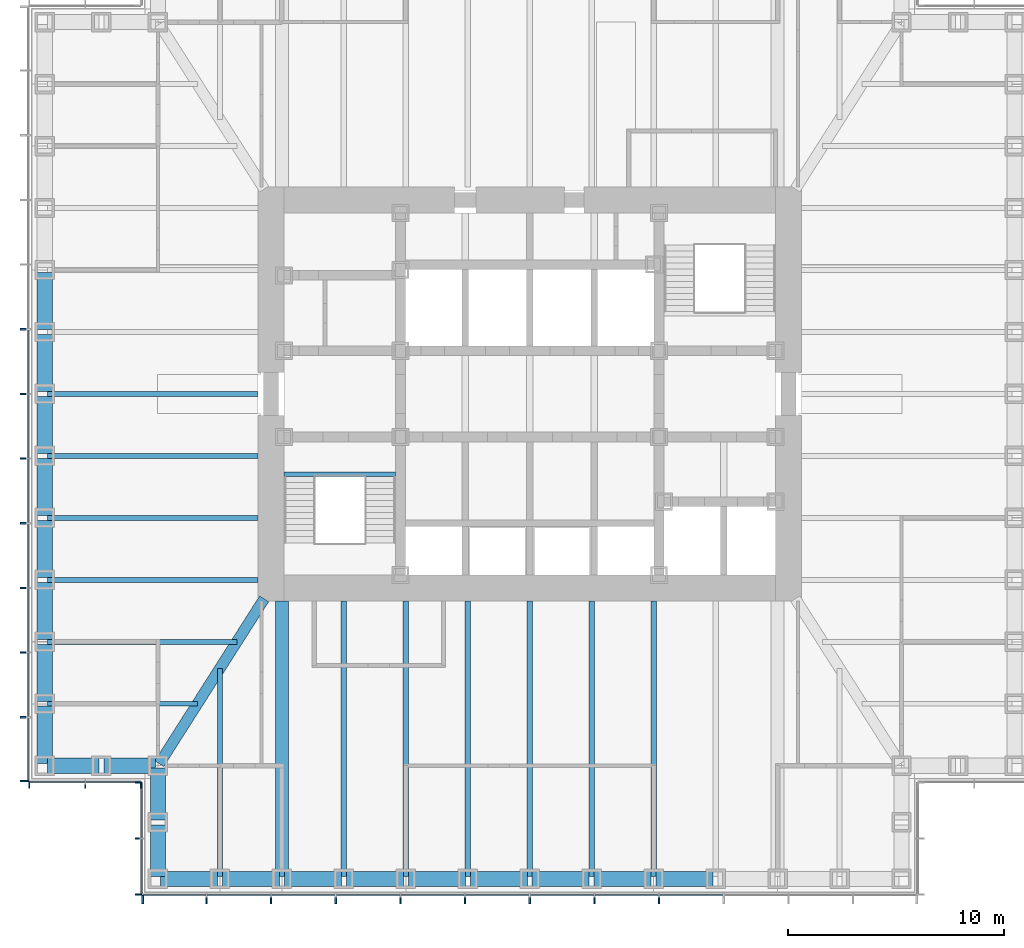
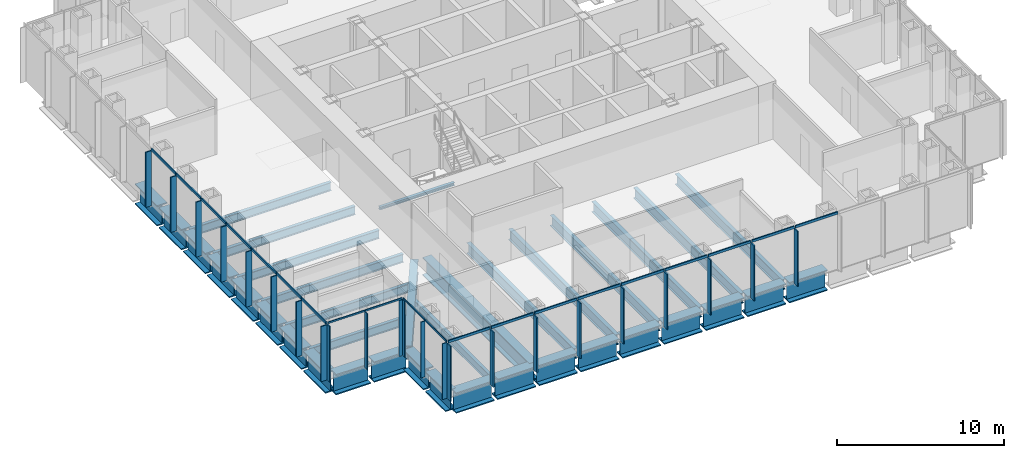
# One storey, part 2 of 17: 43 members, 37 beams, 4 elements without a shape of their own.
"""IFC4 building model written with IfcOpenShell, lengths in metres."""

from ifc_helpers import new_model, si_unit, direction, frame, origin, origin_2d, place, context, subcontext, project, spatial, rectangle, i_section, extrude, material, material_profile, profile_set, type_object, element, aggregate, save


model = new_model("IFC4")

# Units and contexts
model_context = context("Model", 3, precision=1e-05, world=origin(), true_north=direction((0.0, 1.0)))
body_context = subcontext(model_context, "Body", "Model", "MODEL_VIEW")
ifc_project = project(units=[si_unit("LENGTHUNIT", "METRE"), si_unit("AREAUNIT", "SQUARE_METRE"), si_unit("VOLUMEUNIT", "CUBIC_METRE"), si_unit("PLANEANGLEUNIT", "RADIAN"), si_unit("MASSUNIT", "GRAM", prefix="KILO")], contexts=[model_context])

# Site, building, storey
site_placement = place(None, origin())
site = spatial("IfcSite", under=ifc_project, at=site_placement, CompositionType="ELEMENT")
building_placement = place(site_placement, origin())
building = spatial("IfcBuilding", under=site, at=building_placement, Name="Daluyong Arena Tower", CompositionType="ELEMENT")
storey_placement = place(building_placement, frame((0.0, 0.0, 145.89990234375)))
storey = spatial("IfcBuildingStorey", under=building, at=storey_placement, Name="L32", CompositionType="ELEMENT", Elevation=145.89990234375)

# Curtain wall, members
ifc_material_1 = material(Name="Bronze anodised aluminium and glass", Category="aluminium")
curtain_wall_type_1 = type_object("IfcCurtainWallType", Name="Curtain wall CW2", PredefinedType="USERDEFINED", material=ifc_material_1)
curtain_wall_1_placement = place(storey_placement, origin())
curtain_wall_1 = element("IfcCurtainWall", 1, at=curtain_wall_1_placement, inside=storey, type_object=curtain_wall_type_1, Name="curtain wall L32 S", ObjectType="UNITISED CURTAIN WALL", PredefinedType="USERDEFINED")
ifc_material_2 = material(Name="Bronze anodised aluminium fin", Category="aluminium")
ifc_material_profile_1 = material_profile(ifc_material_2, rectangle(XDim=0.39990234375, YDim=0.080078125, at=origin_2d()))
ifc_profile_set_1 = profile_set([ifc_material_profile_1], Name="Bronze anodised aluminium fin")
member_type_1 = type_object("IfcMemberType", Name="CW2 bronze fin 400x80", PredefinedType="MULLION", material=ifc_profile_set_1)
member_1_placement = place(storey_placement, frame((38.0400390625, 56.550048828125, 0.0), z_axis=(0.0, 0.0, 1.0), x_axis=(0.0, 1.0, 0.0)))
member_1 = element("IfcMember", 2, at=member_1_placement, type_object=member_type_1, Name="curtain wall L32 S fin 1", PredefinedType="MULLION", context=body_context, shape_type="SweptSolid", body=[
    extrude(rectangle(XDim=0.39990234375, YDim=0.080078125, at=origin_2d()), origin(), (0.0, 0.0, 1.0), 4.02001953125),
])
member_2_placement = place(storey_placement, frame((41.0, 56.550048828125, 0.0), z_axis=(0.0, 0.0, 1.0), x_axis=(0.0, 1.0, 0.0)))
member_2 = element("IfcMember", 3, at=member_2_placement, type_object=member_type_1, Name="curtain wall L32 S fin 2", PredefinedType="MULLION", context=body_context, shape_type="SweptSolid", body=[
    extrude(rectangle(XDim=0.39990234375, YDim=0.080078125, at=origin_2d()), origin(), (0.0, 0.0, 1.0), 4.02001953125),
])
member_3_placement = place(storey_placement, frame((44.0, 56.550048828125, 0.0), z_axis=(0.0, 0.0, 1.0), x_axis=(0.0, 1.0, 0.0)))
member_3 = element("IfcMember", 4, at=member_3_placement, type_object=member_type_1, Name="curtain wall L32 S fin 3", PredefinedType="MULLION", context=body_context, shape_type="SweptSolid", body=[
    extrude(rectangle(XDim=0.39990234375, YDim=0.080078125, at=origin_2d()), origin(), (0.0, 0.0, 1.0), 4.02001953125),
])
member_4_placement = place(storey_placement, frame((47.0, 56.550048828125, 0.0), z_axis=(0.0, 0.0, 1.0), x_axis=(0.0, 1.0, 0.0)))
member_4 = element("IfcMember", 5, at=member_4_placement, type_object=member_type_1, Name="curtain wall L32 S fin 4", PredefinedType="MULLION", context=body_context, shape_type="SweptSolid", body=[
    extrude(rectangle(XDim=0.39990234375, YDim=0.080078125, at=origin_2d()), origin(), (0.0, 0.0, 1.0), 4.02001953125),
])
member_5_placement = place(storey_placement, frame((50.0, 56.550048828125, 0.0), z_axis=(0.0, 0.0, 1.0), x_axis=(0.0, 1.0, 0.0)))
member_5 = element("IfcMember", 6, at=member_5_placement, type_object=member_type_1, Name="curtain wall L32 S fin 5", PredefinedType="MULLION", context=body_context, shape_type="SweptSolid", body=[
    extrude(rectangle(XDim=0.39990234375, YDim=0.080078125, at=origin_2d()), origin(), (0.0, 0.0, 1.0), 4.02001953125),
])
member_6_placement = place(storey_placement, frame((53.0, 56.550048828125, 0.0), z_axis=(0.0, 0.0, 1.0), x_axis=(0.0, 1.0, 0.0)))
member_6 = element("IfcMember", 7, at=member_6_placement, type_object=member_type_1, Name="curtain wall L32 S fin 6", PredefinedType="MULLION", context=body_context, shape_type="SweptSolid", body=[
    extrude(rectangle(XDim=0.39990234375, YDim=0.080078125, at=origin_2d()), origin(), (0.0, 0.0, 1.0), 4.02001953125),
])
member_7_placement = place(storey_placement, frame((56.0, 56.550048828125, 0.0), z_axis=(0.0, 0.0, 1.0), x_axis=(0.0, 1.0, 0.0)))
member_7 = element("IfcMember", 8, at=member_7_placement, type_object=member_type_1, Name="curtain wall L32 S fin 7", PredefinedType="MULLION", context=body_context, shape_type="SweptSolid", body=[
    extrude(rectangle(XDim=0.39990234375, YDim=0.080078125, at=origin_2d()), origin(), (0.0, 0.0, 1.0), 4.02001953125),
])
member_8_placement = place(storey_placement, frame((59.0, 56.550048828125, 0.0), z_axis=(0.0, 0.0, 1.0), x_axis=(0.0, 1.0, 0.0)))
member_8 = element("IfcMember", 9, at=member_8_placement, type_object=member_type_1, Name="curtain wall L32 S fin 8", PredefinedType="MULLION", context=body_context, shape_type="SweptSolid", body=[
    extrude(rectangle(XDim=0.39990234375, YDim=0.080078125, at=origin_2d()), origin(), (0.0, 0.0, 1.0), 4.02001953125),
])
member_9_placement = place(storey_placement, frame((62.0, 56.550048828125, 0.0), z_axis=(0.0, 0.0, 1.0), x_axis=(0.0, 1.0, 0.0)))
member_9 = element("IfcMember", 10, at=member_9_placement, type_object=member_type_1, Name="curtain wall L32 S fin 9", PredefinedType="MULLION", context=body_context, shape_type="SweptSolid", body=[
    extrude(rectangle(XDim=0.39990234375, YDim=0.080078125, at=origin_2d()), origin(), (0.0, 0.0, 1.0), 4.02001953125),
])

curtain_wall_2_placement = place(storey_placement, origin())
curtain_wall_2 = element("IfcCurtainWall", 11, at=curtain_wall_2_placement, inside=storey, type_object=curtain_wall_type_1, Name="curtain wall L32 W", ObjectType="UNITISED CURTAIN WALL", PredefinedType="USERDEFINED")
member_10_placement = place(storey_placement, frame((32.550048828125, 83.0, 0.0), z_axis=(0.0, 0.0, 1.0), x_axis=(1.0, 0.0, 0.0)))
member_10 = element("IfcMember", 12, at=member_10_placement, type_object=member_type_1, Name="curtain wall L32 W fin 6", PredefinedType="MULLION", context=body_context, shape_type="SweptSolid", body=[
    extrude(rectangle(XDim=0.39990234375, YDim=0.080078125, at=origin_2d()), origin(), (0.0, 0.0, 1.0), 4.02001953125),
])
member_11_placement = place(storey_placement, frame((32.550048828125, 80.0, 0.0), z_axis=(0.0, 0.0, 1.0), x_axis=(1.0, 0.0, 0.0)))
member_11 = element("IfcMember", 13, at=member_11_placement, type_object=member_type_1, Name="curtain wall L32 W fin 7", PredefinedType="MULLION", context=body_context, shape_type="SweptSolid", body=[
    extrude(rectangle(XDim=0.39990234375, YDim=0.080078125, at=origin_2d()), origin(), (0.0, 0.0, 1.0), 4.02001953125),
])
member_12_placement = place(storey_placement, frame((32.550048828125, 77.0, 0.0), z_axis=(0.0, 0.0, 1.0), x_axis=(1.0, 0.0, 0.0)))
member_12 = element("IfcMember", 14, at=member_12_placement, type_object=member_type_1, Name="curtain wall L32 W fin 8", PredefinedType="MULLION", context=body_context, shape_type="SweptSolid", body=[
    extrude(rectangle(XDim=0.39990234375, YDim=0.080078125, at=origin_2d()), origin(), (0.0, 0.0, 1.0), 4.02001953125),
])
member_13_placement = place(storey_placement, frame((32.550048828125, 74.0, 0.0), z_axis=(0.0, 0.0, 1.0), x_axis=(1.0, 0.0, 0.0)))
member_13 = element("IfcMember", 15, at=member_13_placement, type_object=member_type_1, Name="curtain wall L32 W fin 9", PredefinedType="MULLION", context=body_context, shape_type="SweptSolid", body=[
    extrude(rectangle(XDim=0.39990234375, YDim=0.080078125, at=origin_2d()), origin(), (0.0, 0.0, 1.0), 4.02001953125),
])
member_14_placement = place(storey_placement, frame((32.550048828125, 71.0, 0.0), z_axis=(0.0, 0.0, 1.0), x_axis=(1.0, 0.0, 0.0)))
member_14 = element("IfcMember", 16, at=member_14_placement, type_object=member_type_1, Name="curtain wall L32 W fin 10", PredefinedType="MULLION", context=body_context, shape_type="SweptSolid", body=[
    extrude(rectangle(XDim=0.39990234375, YDim=0.080078125, at=origin_2d()), origin(), (0.0, 0.0, 1.0), 4.02001953125),
])
member_15_placement = place(storey_placement, frame((32.550048828125, 68.0, 0.0), z_axis=(0.0, 0.0, 1.0), x_axis=(1.0, 0.0, 0.0)))
member_15 = element("IfcMember", 17, at=member_15_placement, type_object=member_type_1, Name="curtain wall L32 W fin 11", PredefinedType="MULLION", context=body_context, shape_type="SweptSolid", body=[
    extrude(rectangle(XDim=0.39990234375, YDim=0.080078125, at=origin_2d()), origin(), (0.0, 0.0, 1.0), 4.02001953125),
])
member_16_placement = place(storey_placement, frame((32.550048828125, 65.0, 0.0), z_axis=(0.0, 0.0, 1.0), x_axis=(1.0, 0.0, 0.0)))
member_16 = element("IfcMember", 18, at=member_16_placement, type_object=member_type_1, Name="curtain wall L32 W fin 12", PredefinedType="MULLION", context=body_context, shape_type="SweptSolid", body=[
    extrude(rectangle(XDim=0.39990234375, YDim=0.080078125, at=origin_2d()), origin(), (0.0, 0.0, 1.0), 4.02001953125),
])
member_17_placement = place(storey_placement, frame((32.550048828125, 62.0400390625, 0.0), z_axis=(0.0, 0.0, 1.0), x_axis=(1.0, 0.0, 0.0)))
member_17 = element("IfcMember", 19, at=member_17_placement, type_object=member_type_1, Name="curtain wall L32 W fin 13", PredefinedType="MULLION", context=body_context, shape_type="SweptSolid", body=[
    extrude(rectangle(XDim=0.39990234375, YDim=0.080078125, at=origin_2d()), origin(), (0.0, 0.0, 1.0), 4.02001953125),
])

# Member
ifc_material_3 = material(Name="Bronze anodised aluminium", Category="aluminium")
ifc_material_profile_2 = material_profile(ifc_material_3, rectangle(XDim=0.080078125, YDim=0.179931640625, at=origin_2d()))
ifc_profile_set_2 = profile_set([ifc_material_profile_2], Name="Bronze anodised aluminium")
member_type_2 = type_object("IfcMemberType", Name="CW2 stack transom 180x80", PredefinedType="USERDEFINED", material=ifc_profile_set_2)
member_18_placement = place(storey_placement, frame((38.080078125, 56.75, 4.110107421875), z_axis=(1.0, 0.0, 0.0), x_axis=(0.0, 1.0, 0.0)))
member_18 = element("IfcMember", 20, at=member_18_placement, type_object=member_type_2, Name="curtain wall L32 S transom 1", ObjectType="TRANSOM", PredefinedType="USERDEFINED", context=body_context, shape_type="SweptSolid", body=[
    extrude(rectangle(XDim=0.080078125, YDim=0.179931640625, at=origin_2d()), origin(), (0.0, 0.0, 1.0), 2.8798828125),
])

member_19_placement = place(storey_placement, frame((41.0400390625, 56.75, 4.110107421875), z_axis=(1.0, 0.0, 0.0), x_axis=(0.0, 1.0, 0.0)))
member_19 = element("IfcMember", 21, at=member_19_placement, type_object=member_type_2, Name="curtain wall L32 S transom 2", ObjectType="TRANSOM", PredefinedType="USERDEFINED", context=body_context, shape_type="SweptSolid", body=[
    extrude(rectangle(XDim=0.080078125, YDim=0.179931640625, at=origin_2d()), origin(), (0.0, 0.0, 1.0), 2.919921875),
])

member_20_placement = place(storey_placement, frame((44.0400390625, 56.75, 4.110107421875), z_axis=(1.0, 0.0, 0.0), x_axis=(0.0, 1.0, 0.0)))
member_20 = element("IfcMember", 22, at=member_20_placement, type_object=member_type_2, Name="curtain wall L32 S transom 3", ObjectType="TRANSOM", PredefinedType="USERDEFINED", context=body_context, shape_type="SweptSolid", body=[
    extrude(rectangle(XDim=0.080078125, YDim=0.179931640625, at=origin_2d()), origin(), (0.0, 0.0, 1.0), 2.919921875),
])

member_21_placement = place(storey_placement, frame((47.0400390625, 56.75, 4.110107421875), z_axis=(1.0, 0.0, 0.0), x_axis=(0.0, 1.0, 0.0)))
member_21 = element("IfcMember", 23, at=member_21_placement, type_object=member_type_2, Name="curtain wall L32 S transom 4", ObjectType="TRANSOM", PredefinedType="USERDEFINED", context=body_context, shape_type="SweptSolid", body=[
    extrude(rectangle(XDim=0.080078125, YDim=0.179931640625, at=origin_2d()), origin(), (0.0, 0.0, 1.0), 2.919921875),
])

member_22_placement = place(storey_placement, frame((50.0400390625, 56.75, 4.110107421875), z_axis=(1.0, 0.0, 0.0), x_axis=(0.0, 1.0, 0.0)))
member_22 = element("IfcMember", 24, at=member_22_placement, type_object=member_type_2, Name="curtain wall L32 S transom 5", ObjectType="TRANSOM", PredefinedType="USERDEFINED", context=body_context, shape_type="SweptSolid", body=[
    extrude(rectangle(XDim=0.080078125, YDim=0.179931640625, at=origin_2d()), origin(), (0.0, 0.0, 1.0), 2.919921875),
])

member_23_placement = place(storey_placement, frame((53.0400390625, 56.75, 4.110107421875), z_axis=(1.0, 0.0, 0.0), x_axis=(0.0, 1.0, 0.0)))
member_23 = element("IfcMember", 25, at=member_23_placement, type_object=member_type_2, Name="curtain wall L32 S transom 6", ObjectType="TRANSOM", PredefinedType="USERDEFINED", context=body_context, shape_type="SweptSolid", body=[
    extrude(rectangle(XDim=0.080078125, YDim=0.179931640625, at=origin_2d()), origin(), (0.0, 0.0, 1.0), 2.919921875),
])

member_24_placement = place(storey_placement, frame((56.0400390625, 56.75, 4.110107421875), z_axis=(1.0, 0.0, 0.0), x_axis=(0.0, 1.0, 0.0)))
member_24 = element("IfcMember", 26, at=member_24_placement, type_object=member_type_2, Name="curtain wall L32 S transom 7", ObjectType="TRANSOM", PredefinedType="USERDEFINED", context=body_context, shape_type="SweptSolid", body=[
    extrude(rectangle(XDim=0.080078125, YDim=0.179931640625, at=origin_2d()), origin(), (0.0, 0.0, 1.0), 2.919921875),
])

member_25_placement = place(storey_placement, frame((59.0400390625, 56.75, 4.110107421875), z_axis=(1.0, 0.0, 0.0), x_axis=(0.0, 1.0, 0.0)))
member_25 = element("IfcMember", 27, at=member_25_placement, type_object=member_type_2, Name="curtain wall L32 S transom 8", ObjectType="TRANSOM", PredefinedType="USERDEFINED", context=body_context, shape_type="SweptSolid", body=[
    extrude(rectangle(XDim=0.080078125, YDim=0.179931640625, at=origin_2d()), origin(), (0.0, 0.0, 1.0), 2.919921875),
])

member_26_placement = place(storey_placement, frame((62.0400390625, 56.75, 4.110107421875), z_axis=(1.0, 0.0, 0.0), x_axis=(0.0, 1.0, 0.0)))
member_26 = element("IfcMember", 28, at=member_26_placement, type_object=member_type_2, Name="curtain wall L32 S transom 9", ObjectType="TRANSOM", PredefinedType="USERDEFINED", context=body_context, shape_type="SweptSolid", body=[
    extrude(rectangle(XDim=0.080078125, YDim=0.179931640625, at=origin_2d()), origin(), (0.0, 0.0, 1.0), 2.919921875),
])

aggregate(curtain_wall_1, [member_1, member_2, member_3, member_4, member_5, member_6, member_7, member_8, member_9, member_18, member_19, member_20, member_21, member_22, member_23, member_24, member_25, member_26])

member_27_placement = place(storey_placement, frame((32.75, 82.9599609375, 4.110107421875), z_axis=(0.0, -1.0, 0.0), x_axis=(1.0, 0.0, 0.0)))
member_27 = element("IfcMember", 29, at=member_27_placement, type_object=member_type_2, Name="curtain wall L32 W transom 6", ObjectType="TRANSOM", PredefinedType="USERDEFINED", context=body_context, shape_type="SweptSolid", body=[
    extrude(rectangle(XDim=0.080078125, YDim=0.179931640625, at=origin_2d()), origin(), (0.0, 0.0, 1.0), 2.919921875),
])

member_28_placement = place(storey_placement, frame((32.75, 79.9599609375, 4.110107421875), z_axis=(0.0, -1.0, 0.0), x_axis=(1.0, 0.0, 0.0)))
member_28 = element("IfcMember", 30, at=member_28_placement, type_object=member_type_2, Name="curtain wall L32 W transom 7", ObjectType="TRANSOM", PredefinedType="USERDEFINED", context=body_context, shape_type="SweptSolid", body=[
    extrude(rectangle(XDim=0.080078125, YDim=0.179931640625, at=origin_2d()), origin(), (0.0, 0.0, 1.0), 2.919921875),
])

member_29_placement = place(storey_placement, frame((32.75, 76.9599609375, 4.110107421875), z_axis=(0.0, -1.0, 0.0), x_axis=(1.0, 0.0, 0.0)))
member_29 = element("IfcMember", 31, at=member_29_placement, type_object=member_type_2, Name="curtain wall L32 W transom 8", ObjectType="TRANSOM", PredefinedType="USERDEFINED", context=body_context, shape_type="SweptSolid", body=[
    extrude(rectangle(XDim=0.080078125, YDim=0.179931640625, at=origin_2d()), origin(), (0.0, 0.0, 1.0), 2.919921875),
])

member_30_placement = place(storey_placement, frame((32.75, 73.9599609375, 4.110107421875), z_axis=(0.0, -1.0, 0.0), x_axis=(1.0, 0.0, 0.0)))
member_30 = element("IfcMember", 32, at=member_30_placement, type_object=member_type_2, Name="curtain wall L32 W transom 9", ObjectType="TRANSOM", PredefinedType="USERDEFINED", context=body_context, shape_type="SweptSolid", body=[
    extrude(rectangle(XDim=0.080078125, YDim=0.179931640625, at=origin_2d()), origin(), (0.0, 0.0, 1.0), 2.919921875),
])

member_31_placement = place(storey_placement, frame((32.75, 70.9599609375, 4.110107421875), z_axis=(0.0, -1.0, 0.0), x_axis=(1.0, 0.0, 0.0)))
member_31 = element("IfcMember", 33, at=member_31_placement, type_object=member_type_2, Name="curtain wall L32 W transom 10", ObjectType="TRANSOM", PredefinedType="USERDEFINED", context=body_context, shape_type="SweptSolid", body=[
    extrude(rectangle(XDim=0.080078125, YDim=0.179931640625, at=origin_2d()), origin(), (0.0, 0.0, 1.0), 2.919921875),
])

member_32_placement = place(storey_placement, frame((32.75, 67.9599609375, 4.110107421875), z_axis=(0.0, -1.0, 0.0), x_axis=(1.0, 0.0, 0.0)))
member_32 = element("IfcMember", 34, at=member_32_placement, type_object=member_type_2, Name="curtain wall L32 W transom 11", ObjectType="TRANSOM", PredefinedType="USERDEFINED", context=body_context, shape_type="SweptSolid", body=[
    extrude(rectangle(XDim=0.080078125, YDim=0.179931640625, at=origin_2d()), origin(), (0.0, 0.0, 1.0), 2.919921875),
])

member_33_placement = place(storey_placement, frame((32.75, 64.9599609375, 4.110107421875), z_axis=(0.0, -1.0, 0.0), x_axis=(1.0, 0.0, 0.0)))
member_33 = element("IfcMember", 35, at=member_33_placement, type_object=member_type_2, Name="curtain wall L32 W transom 12", ObjectType="TRANSOM", PredefinedType="USERDEFINED", context=body_context, shape_type="SweptSolid", body=[
    extrude(rectangle(XDim=0.080078125, YDim=0.179931640625, at=origin_2d()), origin(), (0.0, 0.0, 1.0), 2.8798828125),
])

aggregate(curtain_wall_2, [member_10, member_11, member_12, member_13, member_14, member_15, member_16, member_17, member_27, member_28, member_29, member_30, member_31, member_32, member_33])

# Curtain wall, members
ifc_material_4 = material(Name="Bronze anodised aluminium and glass", Category="aluminium")
curtain_wall_type_2 = type_object("IfcCurtainWallType", Name="Curtain wall CW7", PredefinedType="USERDEFINED", material=ifc_material_4)
curtain_wall_3_placement = place(storey_placement, origin())
curtain_wall_3 = element("IfcCurtainWall", 36, at=curtain_wall_3_placement, inside=storey, type_object=curtain_wall_type_2, Name="curtain wall L32 SW-S", ObjectType="UNITISED CURTAIN WALL", PredefinedType="USERDEFINED")
ifc_material_5 = material(Name="Bronze anodised aluminium fin", Category="aluminium")
ifc_material_profile_3 = material_profile(ifc_material_5, rectangle(XDim=0.300048828125, YDim=0.06005859375, at=origin_2d()))
ifc_profile_set_3 = profile_set([ifc_material_profile_3], Name="Bronze anodised aluminium fin")
member_type_3 = type_object("IfcMemberType", Name="CW7 bronze fin 300x60", PredefinedType="MULLION", material=ifc_profile_set_3)
member_34_placement = place(storey_placement, frame((32.780029296875, 61.85009765625, 0.0), z_axis=(0.0, 0.0, 1.0), x_axis=(0.0, 1.0, 0.0)))
member_34 = element("IfcMember", 37, at=member_34_placement, type_object=member_type_3, Name="curtain wall L32 SW-S fin 1", PredefinedType="MULLION", context=body_context, shape_type="SweptSolid", body=[
    extrude(rectangle(XDim=0.300048828125, YDim=0.06005859375, at=origin_2d()), origin(), (0.0, 0.0, 1.0), 4.080078125),
])
member_35_placement = place(storey_placement, frame((35.375, 61.85009765625, 0.0), z_axis=(0.0, 0.0, 1.0), x_axis=(0.0, 1.0, 0.0)))
member_35 = element("IfcMember", 38, at=member_35_placement, type_object=member_type_3, Name="curtain wall L32 SW-S fin 2", PredefinedType="MULLION", context=body_context, shape_type="SweptSolid", body=[
    extrude(rectangle(XDim=0.300048828125, YDim=0.06005859375, at=origin_2d()), origin(), (0.0, 0.0, 1.0), 4.080078125),
])
member_36_placement = place(storey_placement, frame((37.969970703125, 61.85009765625, 0.0), z_axis=(0.0, 0.0, 1.0), x_axis=(0.0, 1.0, 0.0)))
member_36 = element("IfcMember", 39, at=member_36_placement, type_object=member_type_3, Name="curtain wall L32 SW-S fin 3", PredefinedType="MULLION", context=body_context, shape_type="SweptSolid", body=[
    extrude(rectangle(XDim=0.300048828125, YDim=0.06005859375, at=origin_2d()), origin(), (0.0, 0.0, 1.0), 4.080078125),
])

curtain_wall_4_placement = place(storey_placement, origin())
curtain_wall_4 = element("IfcCurtainWall", 40, at=curtain_wall_4_placement, inside=storey, type_object=curtain_wall_type_2, Name="curtain wall L32 SW-W", ObjectType="UNITISED CURTAIN WALL", PredefinedType="USERDEFINED")
member_37_placement = place(storey_placement, frame((37.85009765625, 61.969970703125, 0.0), z_axis=(0.0, 0.0, 1.0), x_axis=(1.0, 0.0, 0.0)))
member_37 = element("IfcMember", 41, at=member_37_placement, type_object=member_type_3, Name="curtain wall L32 SW-W fin 1", PredefinedType="MULLION", context=body_context, shape_type="SweptSolid", body=[
    extrude(rectangle(XDim=0.300048828125, YDim=0.06005859375, at=origin_2d()), origin(), (0.0, 0.0, 1.0), 4.080078125),
])
member_38_placement = place(storey_placement, frame((37.85009765625, 59.375, 0.0), z_axis=(0.0, 0.0, 1.0), x_axis=(1.0, 0.0, 0.0)))
member_38 = element("IfcMember", 42, at=member_38_placement, type_object=member_type_3, Name="curtain wall L32 SW-W fin 2", PredefinedType="MULLION", context=body_context, shape_type="SweptSolid", body=[
    extrude(rectangle(XDim=0.300048828125, YDim=0.06005859375, at=origin_2d()), origin(), (0.0, 0.0, 1.0), 4.080078125),
])
member_39_placement = place(storey_placement, frame((37.85009765625, 56.780029296875, 0.0), z_axis=(0.0, 0.0, 1.0), x_axis=(1.0, 0.0, 0.0)))
member_39 = element("IfcMember", 43, at=member_39_placement, type_object=member_type_3, Name="curtain wall L32 SW-W fin 3", PredefinedType="MULLION", context=body_context, shape_type="SweptSolid", body=[
    extrude(rectangle(XDim=0.300048828125, YDim=0.06005859375, at=origin_2d()), origin(), (0.0, 0.0, 1.0), 4.080078125),
])

# Member
ifc_material_6 = material(Name="Bronze anodised aluminium", Category="aluminium")
ifc_material_profile_4 = material_profile(ifc_material_6, rectangle(XDim=0.06005859375, YDim=0.1201171875, at=origin_2d()))
ifc_profile_set_4 = profile_set([ifc_material_profile_4], Name="Bronze anodised aluminium")
member_type_4 = type_object("IfcMemberType", Name="CW7 stack transom 120x60", PredefinedType="USERDEFINED", material=ifc_profile_set_4)
member_40_placement = place(storey_placement, frame((32.81005859375, 62.0, 4.14013671875), z_axis=(1.0, 0.0, 0.0), x_axis=(0.0, 1.0, 0.0)))
member_40 = element("IfcMember", 44, at=member_40_placement, type_object=member_type_4, Name="curtain wall L32 SW-S transom 1", ObjectType="TRANSOM", PredefinedType="USERDEFINED", context=body_context, shape_type="SweptSolid", body=[
    extrude(rectangle(XDim=0.06005859375, YDim=0.1201171875, at=origin_2d()), origin(), (0.0, 0.0, 1.0), 2.534912109375),
])

member_41_placement = place(storey_placement, frame((35.405029296875, 62.0, 4.14013671875), z_axis=(1.0, 0.0, 0.0), x_axis=(0.0, 1.0, 0.0)))
member_41 = element("IfcMember", 45, at=member_41_placement, type_object=member_type_4, Name="curtain wall L32 SW-S transom 2", ObjectType="TRANSOM", PredefinedType="USERDEFINED", context=body_context, shape_type="SweptSolid", body=[
    extrude(rectangle(XDim=0.06005859375, YDim=0.1201171875, at=origin_2d()), origin(), (0.0, 0.0, 1.0), 2.534912109375),
])

aggregate(curtain_wall_3, [member_34, member_35, member_36, member_40, member_41])

member_42_placement = place(storey_placement, frame((38.0, 61.93994140625, 4.14013671875), z_axis=(0.0, -1.0, 0.0), x_axis=(1.0, 0.0, 0.0)))
member_42 = element("IfcMember", 46, at=member_42_placement, type_object=member_type_4, Name="curtain wall L32 SW-W transom 1", ObjectType="TRANSOM", PredefinedType="USERDEFINED", context=body_context, shape_type="SweptSolid", body=[
    extrude(rectangle(XDim=0.06005859375, YDim=0.1201171875, at=origin_2d()), origin(), (0.0, 0.0, 1.0), 2.534912109375),
])

member_43_placement = place(storey_placement, frame((38.0, 59.344970703125, 4.14013671875), z_axis=(0.0, -1.0, 0.0), x_axis=(1.0, 0.0, 0.0)))
member_43 = element("IfcMember", 47, at=member_43_placement, type_object=member_type_4, Name="curtain wall L32 SW-W transom 2", ObjectType="TRANSOM", PredefinedType="USERDEFINED", context=body_context, shape_type="SweptSolid", body=[
    extrude(rectangle(XDim=0.06005859375, YDim=0.1201171875, at=origin_2d()), origin(), (0.0, 0.0, 1.0), 2.534912109375),
])

aggregate(curtain_wall_4, [member_37, member_38, member_39, member_42, member_43])

# Beams
ifc_material_7 = material(Name="Steel ASTM A572 Grade 50", Category="steel")
ifc_material_profile_5 = material_profile(ifc_material_7, i_section(OverallWidth=0.5, OverallDepth=1.0, WebThickness=0.03, FlangeThickness=0.06, at=origin_2d()))
ifc_profile_set_5 = profile_set([ifc_material_profile_5], Name="Steel ASTM A572 Grade 50")
beam_type_1 = type_object("IfcBeamType", Name="Corner girder TB1000X500", PredefinedType="BEAM", material=ifc_profile_set_5)
beam_1_placement = place(storey_placement, frame((38.811767578125, 62.846923828125, -0.659912109375), z_axis=(0.536872006459, 0.843663705916, 0.0), x_axis=(-0.843663705916, 0.536872006459, 0.0)))
element("IfcBeam", 48, at=beam_1_placement, inside=storey, type_object=beam_type_1, Name="corner girder DG2", PredefinedType="BEAM", context=body_context, shape_type="SweptSolid", body=[
    extrude(i_section(OverallWidth=0.5, OverallDepth=1.0, WebThickness=0.03, FlangeThickness=0.06, at=origin_2d()), origin(), (0.0, 0.0, 1.0), 9.06396484375),
])
ifc_material_8 = material(Name="Steel ASTM A572 Grade 50", Category="steel")
ifc_material_profile_6 = material_profile(ifc_material_8, i_section(OverallWidth=0.60009765625, OverallDepth=1.300048828125, WebThickness=0.035, FlangeThickness=0.07, at=origin_2d()))
ifc_profile_set_6 = profile_set([ifc_material_profile_6], Name="Steel ASTM A572 Grade 50")
beam_type_2 = type_object("IfcBeamType", Name="Floor beam TB1300X600", PredefinedType="BEAM", material=ifc_profile_set_6)
beam_2_placement = place(storey_placement, frame((44.5, 57.614990234375, -0.809814453125), z_axis=(0.0, 1.0, 0.0), x_axis=(-1.0, 0.0, 0.0)))
element("IfcBeam", 49, at=beam_2_placement, inside=storey, type_object=beam_type_2, Name="floor beam FB7", PredefinedType="BEAM", context=body_context, shape_type="SweptSolid", body=[
    extrude(i_section(OverallWidth=0.60009765625, OverallDepth=1.300048828125, WebThickness=0.035, FlangeThickness=0.07, at=origin_2d()), origin(), (0.0, 0.0, 1.0), 12.784912109375),
])
ifc_material_9 = material(Name="Steel ASTM A992 Grade 50", Category="steel")
ifc_material_profile_7 = material_profile(ifc_material_9, i_section(OverallWidth=0.22900390625, OverallDepth=0.612060546875, WebThickness=0.011962890625, FlangeThickness=0.01953125, at=origin_2d()))
ifc_profile_set_7 = profile_set([ifc_material_profile_7], Name="Steel ASTM A992 Grade 50")
beam_type_3 = type_object("IfcBeamType", Name="Floor beam W24X84", PredefinedType="BEAM", material=ifc_profile_set_7)
beam_3_placement = place(storey_placement, frame((41.625, 57.614990234375, -0.466064453125), z_axis=(0.0, 1.0, 0.0), x_axis=(-1.0, 0.0, 0.0)))
element("IfcBeam", 50, at=beam_3_placement, inside=storey, type_object=beam_type_3, Name="floor beam FB3", PredefinedType="BEAM", context=body_context, shape_type="SweptSolid", body=[
    extrude(i_section(OverallWidth=0.22900390625, OverallDepth=0.612060546875, WebThickness=0.011962890625, FlangeThickness=0.01953125, at=origin_2d()), origin(), (0.0, 0.0, 1.0), 9.65283203125),
])
for number, where, z_axis, x_axis, name in (
    (51, (33.614990234375, 80.0, -0.466064453125), (1.0, 0.0, 0.0), (0.0, 1.0, 0.0), "floor beam FB3"),
    (52, (33.614990234375, 77.125, -0.466064453125), (1.0, 0.0, 0.0), (0.0, 1.0, 0.0), "floor beam FB3"),
    (53, (33.614990234375, 74.25, -0.466064453125), (1.0, 0.0, 0.0), (0.0, 1.0, 0.0), "floor beam FB3"),
    (54, (33.614990234375, 71.375, -0.466064453125), (1.0, 0.0, 0.0), (0.0, 1.0, 0.0), "floor beam FB3"),
):
    element("IfcBeam", number, at=place(storey_placement, frame(where, z_axis=z_axis, x_axis=x_axis)), inside=storey, type_object=beam_type_3, Name=name, PredefinedType="BEAM", context=body_context, shape_type="SweptSolid", body=[
        extrude(i_section(OverallWidth=0.22900390625, OverallDepth=0.612060546875, WebThickness=0.011962890625, FlangeThickness=0.01953125, at=origin_2d()), origin(), (0.0, 0.0, 1.0), 9.784912109375),
    ])
beam_4_placement = place(storey_placement, frame((33.614990234375, 68.5, -0.466064453125), z_axis=(1.0, 0.0, 0.0), x_axis=(0.0, 1.0, 0.0)))
element("IfcBeam", 55, at=beam_4_placement, inside=storey, type_object=beam_type_3, Name="floor beam FB3", PredefinedType="BEAM", context=body_context, shape_type="SweptSolid", body=[
    extrude(i_section(OverallWidth=0.22900390625, OverallDepth=0.612060546875, WebThickness=0.011962890625, FlangeThickness=0.01953125, at=origin_2d()), origin(), (0.0, 0.0, 1.0), 8.794189453125),
])
beam_5_placement = place(storey_placement, frame((33.614990234375, 65.625, -0.466064453125), z_axis=(1.0, 0.0, 0.0), x_axis=(0.0, 1.0, 0.0)))
element("IfcBeam", 56, at=beam_5_placement, inside=storey, type_object=beam_type_3, Name="floor beam FB3", PredefinedType="BEAM", context=body_context, shape_type="SweptSolid", body=[
    extrude(i_section(OverallWidth=0.22900390625, OverallDepth=0.612060546875, WebThickness=0.011962890625, FlangeThickness=0.01953125, at=origin_2d()), origin(), (0.0, 0.0, 1.0), 6.964599609375),
])
ifc_material_10 = material(Name="Steel ASTM A992 Grade 50", Category="steel")
ifc_material_profile_8 = material_profile(ifc_material_10, i_section(OverallWidth=0.2666015625, OverallDepth=0.761962890625, WebThickness=0.014404296875, FlangeThickness=0.021484375, at=origin_2d()))
ifc_profile_set_8 = profile_set([ifc_material_profile_8], Name="Steel ASTM A992 Grade 50")
beam_type_4 = type_object("IfcBeamType", Name="Floor beam W30X116", PredefinedType="BEAM", material=ifc_profile_set_8)
for number, where, z_axis, x_axis, name in (
    (57, (47.375, 57.614990234375, -0.541015625), (0.0, 1.0, 0.0), (-1.0, 0.0, 0.0), "floor beam FB4"),
    (58, (50.25, 57.614990234375, -0.541015625), (0.0, 1.0, 0.0), (-1.0, 0.0, 0.0), "floor beam FB4"),
    (59, (53.125, 57.614990234375, -0.541015625), (0.0, 1.0, 0.0), (-1.0, 0.0, 0.0), "floor beam FB4"),
    (60, (56.0, 57.614990234375, -0.541015625), (0.0, 1.0, 0.0), (-1.0, 0.0, 0.0), "floor beam FB4"),
    (61, (58.875, 57.614990234375, -0.541015625), (0.0, 1.0, 0.0), (-1.0, 0.0, 0.0), "floor beam FB4"),
    (62, (61.75, 57.614990234375, -0.541015625), (0.0, 1.0, 0.0), (-1.0, 0.0, 0.0), "floor beam FB4"),
):
    element("IfcBeam", number, at=place(storey_placement, frame(where, z_axis=z_axis, x_axis=x_axis)), inside=storey, type_object=beam_type_4, Name=name, PredefinedType="BEAM", context=body_context, shape_type="SweptSolid", body=[
        extrude(i_section(OverallWidth=0.2666015625, OverallDepth=0.761962890625, WebThickness=0.014404296875, FlangeThickness=0.021484375, at=origin_2d()), origin(), (0.0, 0.0, 1.0), 12.784912109375),
    ])
ifc_material_11 = material(Name="Steel ASTM A572 Grade 50", Category="steel")
ifc_material_profile_9 = material_profile(ifc_material_11, i_section(OverallWidth=0.699951171875, OverallDepth=1.5, WebThickness=0.04, FlangeThickness=0.08, at=origin_2d()))
ifc_profile_set_9 = profile_set([ifc_material_profile_9], Name="Steel ASTM A572 Grade 50")
beam_type_5 = type_object("IfcBeamType", Name="Spandrel Z2 PG1500X700", PredefinedType="SPANDREL", material=ifc_profile_set_9)
for number, where, z_axis, x_axis, name in (
    (63, (38.864990234375, 57.5, -0.909912109375), (1.0, 0.0, 0.0), (0.0, 1.0, 0.0), "spandrel z2 SB6"),
    (64, (41.739990234375, 57.5, -0.909912109375), (1.0, 0.0, 0.0), (0.0, 1.0, 0.0), "spandrel z2 SB6"),
    (65, (44.614990234375, 57.5, -0.909912109375), (1.0, 0.0, 0.0), (0.0, 1.0, 0.0), "spandrel z2 SB6"),
    (66, (47.489990234375, 57.5, -0.909912109375), (1.0, 0.0, 0.0), (0.0, 1.0, 0.0), "spandrel z2 SB6"),
    (67, (50.364990234375, 57.5, -0.909912109375), (1.0, 0.0, 0.0), (0.0, 1.0, 0.0), "spandrel z2 SB6"),
    (68, (53.239990234375, 57.5, -0.909912109375), (1.0, 0.0, 0.0), (0.0, 1.0, 0.0), "spandrel z2 SB6"),
    (69, (56.114990234375, 57.5, -0.909912109375), (1.0, 0.0, 0.0), (0.0, 1.0, 0.0), "spandrel z2 SB6"),
    (70, (58.989990234375, 57.5, -0.909912109375), (1.0, 0.0, 0.0), (0.0, 1.0, 0.0), "spandrel z2 SB6"),
    (71, (61.864990234375, 57.5, -0.909912109375), (1.0, 0.0, 0.0), (0.0, 1.0, 0.0), "spandrel z2 SB6"),
    (72, (33.5, 85.635009765625, -0.909912109375), (0.0, -1.0, 0.0), (1.0, 0.0, 0.0), "spandrel z2 SB6"),
    (73, (33.5, 82.760009765625, -0.909912109375), (0.0, -1.0, 0.0), (1.0, 0.0, 0.0), "spandrel z2 SB6"),
    (74, (33.5, 79.885009765625, -0.909912109375), (0.0, -1.0, 0.0), (1.0, 0.0, 0.0), "spandrel z2 SB6"),
    (75, (33.5, 77.010009765625, -0.909912109375), (0.0, -1.0, 0.0), (1.0, 0.0, 0.0), "spandrel z2 SB6"),
    (76, (33.5, 74.135009765625, -0.909912109375), (0.0, -1.0, 0.0), (1.0, 0.0, 0.0), "spandrel z2 SB6"),
    (77, (33.5, 71.260009765625, -0.909912109375), (0.0, -1.0, 0.0), (1.0, 0.0, 0.0), "spandrel z2 SB6"),
    (78, (33.5, 68.385009765625, -0.909912109375), (0.0, -1.0, 0.0), (1.0, 0.0, 0.0), "spandrel z2 SB6"),
    (79, (33.5, 65.510009765625, -0.909912109375), (0.0, -1.0, 0.0), (1.0, 0.0, 0.0), "spandrel z2 SB6"),
):
    element("IfcBeam", number, at=place(storey_placement, frame(where, z_axis=z_axis, x_axis=x_axis)), inside=storey, type_object=beam_type_5, Name=name, PredefinedType="SPANDREL", context=body_context, shape_type="SweptSolid", body=[
        extrude(i_section(OverallWidth=0.699951171875, OverallDepth=1.5, WebThickness=0.04, FlangeThickness=0.08, at=origin_2d()), origin(), (0.0, 0.0, 1.0), 2.64501953125),
    ])
for number, where, z_axis, x_axis, name in (
    (80, (33.614990234375, 62.75, -0.909912109375), (1.0, 0.0, 0.0), (0.0, 1.0, 0.0), "spandrel z2 SB6"),
    (81, (36.239990234375, 62.75, -0.909912109375), (1.0, 0.0, 0.0), (0.0, 1.0, 0.0), "spandrel z2 SB6"),
    (82, (38.75, 62.635009765625, -0.909912109375), (0.0, -1.0, 0.0), (1.0, 0.0, 0.0), "spandrel z2 SB6"),
    (83, (38.75, 60.010009765625, -0.909912109375), (0.0, -1.0, 0.0), (1.0, 0.0, 0.0), "spandrel z2 SB6"),
):
    element("IfcBeam", number, at=place(storey_placement, frame(where, z_axis=z_axis, x_axis=x_axis)), inside=storey, type_object=beam_type_5, Name=name, PredefinedType="SPANDREL", context=body_context, shape_type="SweptSolid", body=[
        extrude(i_section(OverallWidth=0.699951171875, OverallDepth=1.5, WebThickness=0.04, FlangeThickness=0.08, at=origin_2d()), origin(), (0.0, 0.0, 1.0), 2.39501953125),
    ])
ifc_material_12 = material(Name="Steel ASTM A992 Grade 50", Category="steel")
ifc_material_profile_10 = material_profile(ifc_material_12, i_section(OverallWidth=0.203125, OverallDepth=0.203125, WebThickness=0.00732421875, FlangeThickness=0.010986328125, at=origin_2d()))
ifc_profile_set_10 = profile_set([ifc_material_profile_10], Name="Steel ASTM A992 Grade 50")
beam_type_6 = type_object("IfcBeamType", Name="Stair landing beam W8X31", PredefinedType="BEAM", material=ifc_profile_set_10)
beam_6_placement = place(storey_placement, frame((44.60009765625, 76.276611328125, -0.261474609375), z_axis=(1.0, 0.0, 0.0), x_axis=(0.0, 1.0, 0.0)))
element("IfcBeam", 84, at=beam_6_placement, inside=storey, type_object=beam_type_6, Name="exit stair A landing beam", PredefinedType="BEAM", context=body_context, shape_type="SweptSolid", body=[
    extrude(i_section(OverallWidth=0.203125, OverallDepth=0.203125, WebThickness=0.00732421875, FlangeThickness=0.010986328125, at=origin_2d()), origin(), (0.0, 0.0, 1.0), 5.1748046875),
])

save(model, "model.ifc")
